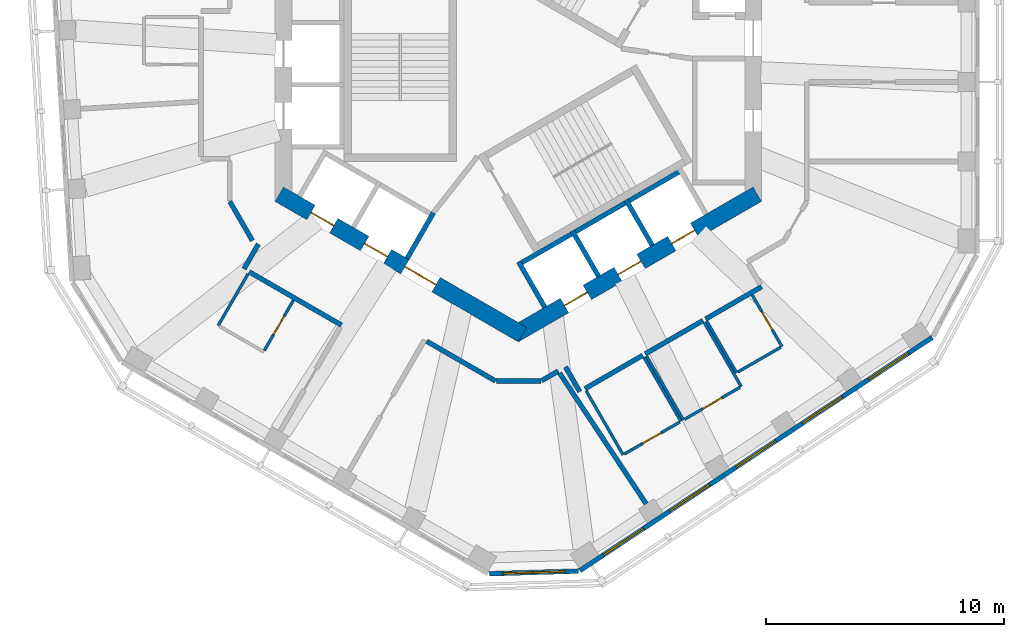
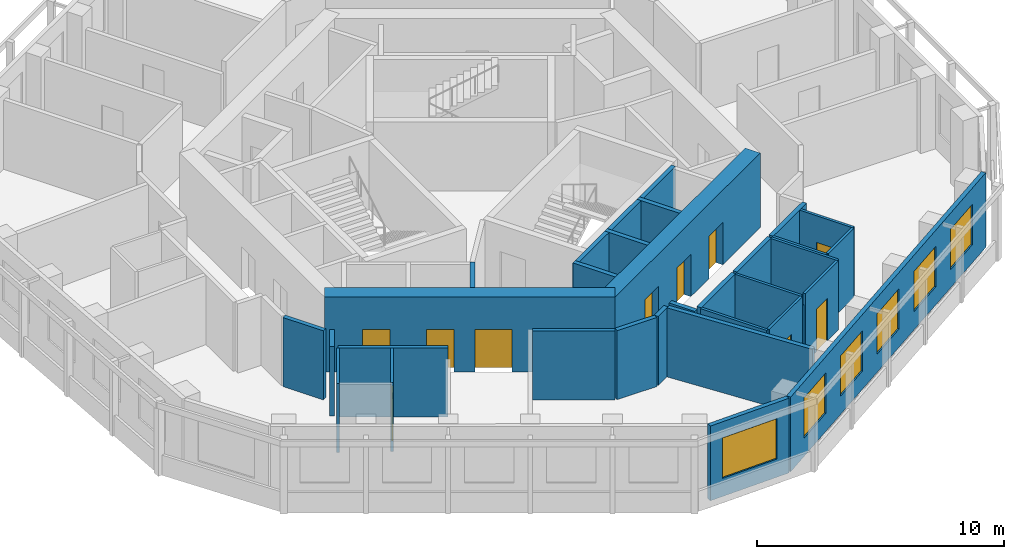
# One storey, part 4 of 11: 31 walls, 10 doors, 6 windows, 16 openings.
"""IFC4 building model written with IfcOpenShell, lengths in metres."""

from ifc_helpers import new_model, si_unit, direction, frame, frame_2d, origin, place, context, subcontext, project, spatial, rectangle, extrude, material, layer, layer_set, type_object, element, fill, save


model = new_model("IFC4")

# Units and contexts
model_context = context("Model", 3, precision=1e-05, world=origin(), true_north=direction((0.0, 1.0)))
body_context = subcontext(model_context, "Body", "Model", "MODEL_VIEW")
ifc_project = project(units=[si_unit("LENGTHUNIT", "METRE"), si_unit("AREAUNIT", "SQUARE_METRE"), si_unit("VOLUMEUNIT", "CUBIC_METRE"), si_unit("PLANEANGLEUNIT", "RADIAN"), si_unit("MASSUNIT", "GRAM", prefix="KILO")], contexts=[model_context])

# Site, building, storey
site_placement = place(None, origin())
site = spatial("IfcSite", under=ifc_project, at=site_placement, CompositionType="ELEMENT")
building_placement = place(site_placement, origin())
building = spatial("IfcBuilding", under=site, at=building_placement, Name="Vanh Sen Convention Tower", CompositionType="ELEMENT")
storey_placement = place(building_placement, frame((0.0, 0.0, 285.699951171875)))
storey = spatial("IfcBuildingStorey", under=building, at=storey_placement, Name="L70", CompositionType="ELEMENT", Elevation=285.699951171875)

# Wall
ifc_material_1 = material(Name="Moisture-resistant gypsum board on steel studs", Category="steel")
ifc_layer_1 = layer(ifc_material_1, 0.1201171875)
ifc_layer_set_1 = layer_set([ifc_layer_1], Name="Moisture-resistant gypsum board on steel studs")
wall_type_1 = type_object("IfcWallType", Name="Bathroom partition 120", PredefinedType="PARTITIONING", material=ifc_layer_set_1)
wall_1_placement = place(storey_placement, frame((-12.584716796875, -11.09521484375, 0.0), z_axis=(0.0, 0.0, 1.0), x_axis=(0.500004234368, 0.866022959057, 0.0)))
element("IfcWall", 1, at=wall_1_placement, inside=storey, type_object=wall_type_1, Name="Bathroom partition 120", PredefinedType="PARTITIONING", context=body_context, shape_type="SweptSolid", body=[
    extrude(rectangle(XDim=2.5, YDim=0.1201171875, at=frame_2d((1.25, 0.0))), origin(), (0.0, 0.0, 1.0), 3.420166015625),
])

# Wall, opening, door
wall_2_placement = place(storey_placement, frame((-9.42919921875, -10.030029296875, 0.0), z_axis=(0.0, 0.0, 1.0), x_axis=(-0.500034220881, -0.866005645448, 0.0)))
wall_2 = element("IfcWall", 2, at=wall_2_placement, inside=storey, type_object=wall_type_1, Name="Bathroom partition 120", PredefinedType="PARTITIONING", context=body_context, shape_type="SweptSolid", body=[
    extrude(rectangle(XDim=2.440185546875, YDim=0.1201171875, at=frame_2d((1.22021484375, 0.0))), origin(), (0.0, 0.0, 1.0), 3.420166015625),
])
opening_1_placement = place(wall_2_placement, frame((0.77001953125, 0.0, 0.0)))
opening_1 = element("IfcOpeningElement", 3, at=opening_1_placement, cuts=wall_2, Name="Opening D70114", PredefinedType="OPENING", context=body_context, shape_type="SweptSolid", body=[
    extrude(rectangle(XDim=0.89990234375, YDim=2.10009765625, at=frame_2d((0.449951171875, 1.050048828125))), frame((0.0, 0.070068359375, 0.0), z_axis=(0.0, -1.0, 0.0), x_axis=(1.0, 0.0, 0.0)), (0.0, 0.0, 1.0), 0.14013671875),
])
ifc_material_2 = material(Name="Laminate door in steel frame", Category="steel")
door_type_1 = type_object("IfcDoorType", Name="Room internal door 900", OperationType="SINGLE_SWING_LEFT", PredefinedType="DOOR", material=ifc_material_2)
door_1_placement = place(opening_1_placement, origin())
door_1 = element("IfcDoor", 4, at=door_1_placement, inside=storey, type_object=door_type_1, Name="Internal room door D70114", OperationType="SINGLE_SWING_LEFT", OverallHeight=2.10009765625, OverallWidth=0.89990234375, PredefinedType="DOOR", context=body_context, shape_type="SweptSolid", body=[
    extrude(rectangle(XDim=0.89990234375, YDim=2.10009765625, at=frame_2d((0.449951171875, 1.050048828125))), frame((0.0, 0.02490234375, 0.0), z_axis=(0.0, -1.0, 0.0), x_axis=(1.0, 0.0, 0.0)), (0.0, 0.0, 1.0), 0.050048828125),
])
fill(opening_1, door_1)

# Walls
wall_3_placement = place(storey_placement, frame((4.395751953125, -16.515869140625, 0.0), z_axis=(0.0, 0.0, 1.0), x_axis=(-0.49999285859, 0.86602952684, 0.0)))
element("IfcWall", 5, at=wall_3_placement, inside=storey, type_object=wall_type_1, Name="Bathroom partition 120", PredefinedType="PARTITIONING", context=body_context, shape_type="SweptSolid", body=[
    extrude(rectangle(XDim=3.10009765625, YDim=0.1201171875, at=frame_2d((1.550048828125, 0.0))), origin(), (0.0, 0.0, 1.0), 3.420166015625),
])
wall_4_placement = place(storey_placement, frame((5.270751953125, -12.43115234375, 0.0), z_axis=(0.0, 0.0, 1.0), x_axis=(0.500026960575, -0.86600983753, 0.0)))
element("IfcWall", 6, at=wall_4_placement, inside=storey, type_object=wall_type_1, Name="Bathroom partition 120", PredefinedType="PARTITIONING", context=body_context, shape_type="SweptSolid", body=[
    extrude(rectangle(XDim=3.099853515625, YDim=0.1201171875, at=frame_2d((1.5498046875, 0.0))), origin(), (0.0, 0.0, 1.0), 3.420166015625),
])

# Wall, opening, door
wall_5_placement = place(storey_placement, frame((6.768798828125, -15.145751953125, 0.0), z_axis=(0.0, 0.0, 1.0), x_axis=(-0.866020236886, -0.500008949224, 0.0)))
wall_5 = element("IfcWall", 7, at=wall_5_placement, inside=storey, type_object=wall_type_1, Name="Bathroom partition 120", PredefinedType="PARTITIONING", context=body_context, shape_type="SweptSolid", body=[
    extrude(rectangle(XDim=2.68017578125, YDim=0.1201171875, at=frame_2d((1.340087890625, 0.0))), origin(), (0.0, 0.0, 1.0), 3.420166015625),
])
opening_2_placement = place(wall_5_placement, frame((0.889892578125, 0.0, 0.0)))
opening_2 = element("IfcOpeningElement", 8, at=opening_2_placement, cuts=wall_5, Name="Opening D70117", PredefinedType="OPENING", context=body_context, shape_type="SweptSolid", body=[
    extrude(rectangle(XDim=0.89990234375, YDim=2.10009765625, at=frame_2d((0.449951171875, 1.050048828125))), frame((0.0, 0.070068359375, 0.0), z_axis=(0.0, -1.0, 0.0), x_axis=(1.0, 0.0, 0.0)), (0.0, 0.0, 1.0), 0.14013671875),
])
door_2_placement = place(opening_2_placement, origin())
door_2 = element("IfcDoor", 9, at=door_2_placement, inside=storey, type_object=door_type_1, Name="Internal room door D70117", OperationType="SINGLE_SWING_LEFT", OverallHeight=2.10009765625, OverallWidth=0.89990234375, PredefinedType="DOOR", context=body_context, shape_type="SweptSolid", body=[
    extrude(rectangle(XDim=0.89990234375, YDim=2.10009765625, at=frame_2d((0.449951171875, 1.050048828125))), frame((0.0, 0.02490234375, 0.0), z_axis=(0.0, -1.0, 0.0), x_axis=(1.0, 0.0, 0.0)), (0.0, 0.0, 1.0), 0.050048828125),
])
fill(opening_2, door_2)

# Walls
wall_6_placement = place(storey_placement, frame((6.924560546875, -15.055908203125, 0.0), z_axis=(0.0, 0.0, 1.0), x_axis=(-0.49999285859, 0.86602952684, 0.0)))
element("IfcWall", 10, at=wall_6_placement, inside=storey, type_object=wall_type_1, Name="Bathroom partition 120", PredefinedType="PARTITIONING", context=body_context, shape_type="SweptSolid", body=[
    extrude(rectangle(XDim=3.10009765625, YDim=0.1201171875, at=frame_2d((1.550048828125, 0.0))), origin(), (0.0, 0.0, 1.0), 2.8701171875),
])
wall_7_placement = place(storey_placement, frame((7.799560546875, -10.97119140625, 0.0), z_axis=(0.0, 0.0, 1.0), x_axis=(0.500026960575, -0.86600983753, 0.0)))
element("IfcWall", 11, at=wall_7_placement, inside=storey, type_object=wall_type_1, Name="Bathroom partition 120", PredefinedType="PARTITIONING", context=body_context, shape_type="SweptSolid", body=[
    extrude(rectangle(XDim=3.099853515625, YDim=0.1201171875, at=frame_2d((1.5498046875, 0.0))), origin(), (0.0, 0.0, 1.0), 3.420166015625),
])
wall_8_placement = place(storey_placement, frame((9.1533203125, -13.076171875, 0.0), z_axis=(0.0, 0.0, 1.0), x_axis=(-0.500004234368, 0.866022959057, 0.0)))
element("IfcWall", 12, at=wall_8_placement, inside=storey, type_object=wall_type_1, Name="Bathroom partition 120", PredefinedType="PARTITIONING", context=body_context, shape_type="SweptSolid", body=[
    extrude(rectangle(XDim=2.5, YDim=0.1201171875, at=frame_2d((1.25, 0.0))), origin(), (0.0, 0.0, 1.0), 3.420166015625),
])

# Wall, opening, door
wall_9_placement = place(storey_placement, frame((9.297607421875, -13.685791015625, 0.0), z_axis=(0.0, 0.0, 1.0), x_axis=(-0.866020236886, -0.500008949224, 0.0)))
wall_9 = element("IfcWall", 13, at=wall_9_placement, inside=storey, type_object=wall_type_1, Name="Bathroom partition 120", PredefinedType="PARTITIONING", context=body_context, shape_type="SweptSolid", body=[
    extrude(rectangle(XDim=2.68017578125, YDim=0.1201171875, at=frame_2d((1.340087890625, 0.0))), origin(), (0.0, 0.0, 1.0), 3.420166015625),
])
opening_3_placement = place(wall_9_placement, frame((0.889892578125, 0.0, 0.0)))
opening_3 = element("IfcOpeningElement", 14, at=opening_3_placement, cuts=wall_9, Name="Opening D70118", PredefinedType="OPENING", context=body_context, shape_type="SweptSolid", body=[
    extrude(rectangle(XDim=0.89990234375, YDim=2.10009765625, at=frame_2d((0.449951171875, 1.050048828125))), frame((0.0, 0.070068359375, 0.0), z_axis=(0.0, -1.0, 0.0), x_axis=(1.0, 0.0, 0.0)), (0.0, 0.0, 1.0), 0.14013671875),
])
door_3_placement = place(opening_3_placement, origin())
door_3 = element("IfcDoor", 15, at=door_3_placement, inside=storey, type_object=door_type_1, Name="Internal room door D70118", OperationType="SINGLE_SWING_LEFT", OverallHeight=2.10009765625, OverallWidth=0.89990234375, PredefinedType="DOOR", context=body_context, shape_type="SweptSolid", body=[
    extrude(rectangle(XDim=0.89990234375, YDim=2.10009765625, at=frame_2d((0.449951171875, 1.050048828125))), frame((0.0, 0.02490234375, 0.0), z_axis=(0.0, -1.0, 0.0), x_axis=(1.0, 0.0, 0.0)), (0.0, 0.0, 1.0), 0.050048828125),
])
fill(opening_3, door_3)

wall_10_placement = place(storey_placement, frame((9.80859375, -9.81103515625, 0.0), z_axis=(0.0, 0.0, 1.0), x_axis=(0.499961950354, -0.866047370643, 0.0)))
wall_10 = element("IfcWall", 16, at=wall_10_placement, inside=storey, type_object=wall_type_1, Name="Bathroom partition 120", PredefinedType="PARTITIONING", context=body_context, shape_type="SweptSolid", body=[
    extrude(rectangle(XDim=2.500244140625, YDim=0.1201171875, at=frame_2d((1.25, 0.0))), origin(), (0.0, 0.0, 1.0), 3.420166015625),
])
opening_4_placement = place(wall_10_placement, frame((0.800048828125, 0.0, 0.0)))
opening_4 = element("IfcOpeningElement", 17, at=opening_4_placement, cuts=wall_10, Name="Opening D70119", PredefinedType="OPENING", context=body_context, shape_type="SweptSolid", body=[
    extrude(rectangle(XDim=0.89990234375, YDim=2.10009765625, at=frame_2d((0.449951171875, 1.050048828125))), frame((0.0, 0.070068359375, 0.0), z_axis=(0.0, -1.0, 0.0), x_axis=(1.0, 0.0, 0.0)), (0.0, 0.0, 1.0), 0.14013671875),
])
door_4_placement = place(opening_4_placement, origin())
door_4 = element("IfcDoor", 18, at=door_4_placement, inside=storey, type_object=door_type_1, Name="Internal room door D70119", OperationType="SINGLE_SWING_LEFT", OverallHeight=2.10009765625, OverallWidth=0.89990234375, PredefinedType="DOOR", context=body_context, shape_type="SweptSolid", body=[
    extrude(rectangle(XDim=0.89990234375, YDim=2.10009765625, at=frame_2d((0.449951171875, 1.050048828125))), frame((0.0, 0.02490234375, 0.0), z_axis=(0.0, -1.0, 0.0), x_axis=(1.0, 0.0, 0.0)), (0.0, 0.0, 1.0), 0.050048828125),
])
fill(opening_4, door_4)

# Wall
wall_11_placement = place(storey_placement, frame((11.006591796875, -12.006103515625, 0.0), z_axis=(0.0, 0.0, 1.0), x_axis=(-0.866009661879, -0.500027264788, 0.0)))
element("IfcWall", 19, at=wall_11_placement, inside=storey, type_object=wall_type_1, Name="Bathroom partition 120", PredefinedType="PARTITIONING", context=body_context, shape_type="SweptSolid", body=[
    extrude(rectangle(XDim=2.080078125, YDim=0.1201171875, at=frame_2d((1.0400390625, 0.0))), origin(), (0.0, 0.0, 1.0), 3.420166015625),
])

# Wall, openings, doors
ifc_material_3 = material(Name="Concrete C60/75", Category="concrete")
ifc_layer_2 = layer(ifc_material_3, 0.699951171875)
ifc_layer_set_2 = layer_set([ifc_layer_2], Name="Concrete C60/75")
wall_type_2 = type_object("IfcWallType", Name="Core outer wall 700 C60/75", PredefinedType="SHEAR", material=ifc_layer_set_2)
wall_12_placement = place(storey_placement, frame((-10.02490234375, -5.5859375, 0.0), z_axis=(0.0, 0.0, 1.0), x_axis=(0.866026453023, -0.499998182661, 0.0)))
wall_12 = element("IfcWall", 20, at=wall_12_placement, inside=storey, type_object=wall_type_2, Name="Core wall face SW L70", PredefinedType="SHEAR", context=body_context, shape_type="SweptSolid", body=[
    extrude(rectangle(XDim=11.77783203125, YDim=0.699951171875, at=frame_2d((5.888916015625, 0.0))), origin(), (0.0, 0.0, 1.0), 3.699951171875),
])
opening_5_placement = place(wall_12_placement, frame((6.089111328125, 0.0, 0.0)))
opening_5 = element("IfcOpeningElement", 21, at=opening_5_placement, cuts=wall_12, Name="Opening D70003", PredefinedType="OPENING", context=body_context, shape_type="SweptSolid", body=[
    extrude(rectangle(XDim=1.5, YDim=2.10009765625, at=frame_2d((0.75, 1.050048828125))), frame((0.0, 0.35986328125, 0.0), z_axis=(0.0, -1.0, 0.0), x_axis=(1.0, 0.0, 0.0)), (0.0, 0.0, 1.0), 0.719970703125),
])
opening_6_placement = place(wall_12_placement, frame((1.5390625, 0.0, 0.0)))
opening_6 = element("IfcOpeningElement", 22, at=opening_6_placement, cuts=wall_12, Name="Opening LD-HR3", PredefinedType="OPENING", context=body_context, shape_type="SweptSolid", body=[
    extrude(rectangle(XDim=1.10009765625, YDim=2.10009765625, at=frame_2d((0.550048828125, 1.050048828125))), frame((0.0, 0.35986328125, 0.0), z_axis=(0.0, -1.0, 0.0), x_axis=(1.0, 0.0, 0.0)), (0.0, 0.0, 1.0), 0.719970703125),
])
opening_7_placement = place(wall_12_placement, frame((4.138916015625, 0.0, 0.0)))
opening_7 = element("IfcOpeningElement", 23, at=opening_7_placement, cuts=wall_12, Name="Opening LD-HR4", PredefinedType="OPENING", context=body_context, shape_type="SweptSolid", body=[
    extrude(rectangle(XDim=1.10009765625, YDim=2.10009765625, at=frame_2d((0.550048828125, 1.050048828125))), frame((0.0, 0.35986328125, 0.0), z_axis=(0.0, -1.0, 0.0), x_axis=(1.0, 0.0, 0.0)), (0.0, 0.0, 1.0), 0.719970703125),
])
ifc_material_4 = material(Name="Stainless steel", Category="steel")
door_type_2 = type_object("IfcDoorType", Name="Lift landing door 1100", OperationType="DOUBLE_DOOR_SLIDING", PredefinedType="DOOR", material=ifc_material_4)
door_5_placement = place(opening_6_placement, origin())
door_5 = element("IfcDoor", 24, at=door_5_placement, inside=storey, type_object=door_type_2, Name="Lift HR3 landing door LD-HR3", OperationType="DOUBLE_DOOR_SLIDING", OverallHeight=2.10009765625, OverallWidth=1.10009765625, PredefinedType="DOOR", context=body_context, shape_type="SweptSolid", body=[
    extrude(rectangle(XDim=1.10009765625, YDim=2.10009765625, at=frame_2d((0.550048828125, 1.050048828125))), frame((0.0, 0.02490234375, 0.0), z_axis=(0.0, -1.0, 0.0), x_axis=(1.0, 0.0, 0.0)), (0.0, 0.0, 1.0), 0.050048828125),
])
fill(opening_6, door_5)
door_6_placement = place(opening_7_placement, origin())
door_6 = element("IfcDoor", 25, at=door_6_placement, inside=storey, type_object=door_type_2, Name="Lift HR4 landing door LD-HR4", OperationType="DOUBLE_DOOR_SLIDING", OverallHeight=2.10009765625, OverallWidth=1.10009765625, PredefinedType="DOOR", context=body_context, shape_type="SweptSolid", body=[
    extrude(rectangle(XDim=1.10009765625, YDim=2.10009765625, at=frame_2d((0.550048828125, 1.050048828125))), frame((0.0, 0.02490234375, 0.0), z_axis=(0.0, -1.0, 0.0), x_axis=(1.0, 0.0, 0.0)), (0.0, 0.0, 1.0), 0.050048828125),
])
fill(opening_7, door_6)
ifc_material_5 = material(Name="Steel S355", Category="steel")
door_type_3 = type_object("IfcDoorType", Name="Stair lobby door 1500", OperationType="DOUBLE_DOOR_SINGLE_SWING", PredefinedType="DOOR", material=ifc_material_5)
door_7_placement = place(opening_5_placement, origin())
door_7 = element("IfcDoor", 26, at=door_7_placement, inside=storey, type_object=door_type_3, Name="Stair lobby door D70003", OperationType="DOUBLE_DOOR_SINGLE_SWING", OverallHeight=2.10009765625, OverallWidth=1.5, PredefinedType="DOOR", context=body_context, shape_type="SweptSolid", body=[
    extrude(rectangle(XDim=1.5, YDim=2.10009765625, at=frame_2d((0.75, 1.050048828125))), frame((0.0, 0.02490234375, 0.0), z_axis=(0.0, -1.0, 0.0), x_axis=(1.0, 0.0, 0.0)), (0.0, 0.0, 1.0), 0.050048828125),
])
fill(opening_5, door_7)

wall_13_placement = place(storey_placement, frame((-0.175048828125, -11.474853515625, 0.0), z_axis=(0.0, 0.0, 1.0), x_axis=(0.866026453023, 0.499998182661, 0.0)))
wall_13 = element("IfcWall", 27, at=wall_13_placement, inside=storey, type_object=wall_type_2, Name="Core wall face SE L70", PredefinedType="SHEAR", context=body_context, shape_type="SweptSolid", body=[
    extrude(rectangle(XDim=11.77783203125, YDim=0.699951171875, at=frame_2d((5.888916015625, 0.0))), origin(), (0.0, 0.0, 1.0), 3.699951171875),
])
opening_8_placement = place(wall_13_placement, frame((2.43896484375, 0.0, 0.0)))
opening_8 = element("IfcOpeningElement", 28, at=opening_8_placement, cuts=wall_13, Name="Opening LD-HR5", PredefinedType="OPENING", context=body_context, shape_type="SweptSolid", body=[
    extrude(rectangle(XDim=1.10009765625, YDim=2.10009765625, at=frame_2d((0.550048828125, 1.050048828125))), frame((0.0, 0.35986328125, 0.0), z_axis=(0.0, -1.0, 0.0), x_axis=(1.0, 0.0, 0.0)), (0.0, 0.0, 1.0), 0.719970703125),
])
opening_9_placement = place(wall_13_placement, frame((5.0390625, 0.0, 0.0)))
opening_9 = element("IfcOpeningElement", 29, at=opening_9_placement, cuts=wall_13, Name="Opening LD-HR6", PredefinedType="OPENING", context=body_context, shape_type="SweptSolid", body=[
    extrude(rectangle(XDim=1.10009765625, YDim=2.10009765625, at=frame_2d((0.550048828125, 1.050048828125))), frame((0.0, 0.35986328125, 0.0), z_axis=(0.0, -1.0, 0.0), x_axis=(1.0, 0.0, 0.0)), (0.0, 0.0, 1.0), 0.719970703125),
])
opening_10_placement = place(wall_13_placement, frame((7.638916015625, 0.0, 0.0)))
opening_10 = element("IfcOpeningElement", 30, at=opening_10_placement, cuts=wall_13, Name="Opening LD-SV1", PredefinedType="OPENING", context=body_context, shape_type="SweptSolid", body=[
    extrude(rectangle(XDim=1.10009765625, YDim=2.10009765625, at=frame_2d((0.550048828125, 1.050048828125))), frame((0.0, 0.35986328125, 0.0), z_axis=(0.0, -1.0, 0.0), x_axis=(1.0, 0.0, 0.0)), (0.0, 0.0, 1.0), 0.719970703125),
])
door_8_placement = place(opening_8_placement, origin())
door_8 = element("IfcDoor", 31, at=door_8_placement, inside=storey, type_object=door_type_2, Name="Lift HR5 landing door LD-HR5", OperationType="DOUBLE_DOOR_SLIDING", OverallHeight=2.10009765625, OverallWidth=1.10009765625, PredefinedType="DOOR", context=body_context, shape_type="SweptSolid", body=[
    extrude(rectangle(XDim=1.10009765625, YDim=2.10009765625, at=frame_2d((0.550048828125, 1.050048828125))), frame((0.0, 0.02490234375, 0.0), z_axis=(0.0, -1.0, 0.0), x_axis=(1.0, 0.0, 0.0)), (0.0, 0.0, 1.0), 0.050048828125),
])
fill(opening_8, door_8)
door_9_placement = place(opening_9_placement, origin())
door_9 = element("IfcDoor", 32, at=door_9_placement, inside=storey, type_object=door_type_2, Name="Lift HR6 landing door LD-HR6", OperationType="DOUBLE_DOOR_SLIDING", OverallHeight=2.10009765625, OverallWidth=1.10009765625, PredefinedType="DOOR", context=body_context, shape_type="SweptSolid", body=[
    extrude(rectangle(XDim=1.10009765625, YDim=2.10009765625, at=frame_2d((0.550048828125, 1.050048828125))), frame((0.0, 0.02490234375, 0.0), z_axis=(0.0, -1.0, 0.0), x_axis=(1.0, 0.0, 0.0)), (0.0, 0.0, 1.0), 0.050048828125),
])
fill(opening_9, door_9)
door_10_placement = place(opening_10_placement, origin())
door_10 = element("IfcDoor", 33, at=door_10_placement, inside=storey, type_object=door_type_2, Name="Lift SV1 landing door LD-SV1", OperationType="DOUBLE_DOOR_SLIDING", OverallHeight=2.10009765625, OverallWidth=1.10009765625, PredefinedType="DOOR", context=body_context, shape_type="SweptSolid", body=[
    extrude(rectangle(XDim=1.10009765625, YDim=2.10009765625, at=frame_2d((0.550048828125, 1.050048828125))), frame((0.0, 0.02490234375, 0.0), z_axis=(0.0, -1.0, 0.0), x_axis=(1.0, 0.0, 0.0)), (0.0, 0.0, 1.0), 0.050048828125),
])
fill(opening_10, door_10)

# Walls
ifc_material_6 = material(Name="Gypsum board on steel studs with mineral wool", Category="steel")
ifc_layer_3 = layer(ifc_material_6, 0.199951171875)
ifc_layer_set_3 = layer_set([ifc_layer_3], Name="Gypsum board on steel studs with mineral wool")
wall_type_3 = type_object("IfcWallType", Name="Corridor partition wall 200", PredefinedType="PARTITIONING", material=ifc_layer_set_3)
wall_14_placement = place(storey_placement, frame((-12.10009765625, -5.888916015625, 0.0), z_axis=(0.0, 0.0, 1.0), x_axis=(0.500063520245, -0.865988727248, 0.0)))
element("IfcWall", 34, at=wall_14_placement, inside=storey, type_object=wall_type_3, Name="Corridor partition wall 200", PredefinedType="PARTITIONING", context=body_context, shape_type="SweptSolid", body=[
    extrude(rectangle(XDim=1.900146484375, YDim=0.199951171875, at=frame_2d((0.9501953125, 0.0))), origin(), (0.0, 0.0, 1.0), 3.420166015625),
])
wall_15_placement = place(storey_placement, frame((-11.28466796875, -8.843505859375, 0.0), z_axis=(0.0, 0.0, 1.0), x_axis=(0.866021785011, -0.500006267848, 0.0)))
element("IfcWall", 35, at=wall_15_placement, inside=storey, type_object=wall_type_3, Name="Corridor partition wall 200", PredefinedType="PARTITIONING", context=body_context, shape_type="SweptSolid", body=[
    extrude(rectangle(XDim=4.4677734375, YDim=0.199951171875, at=frame_2d((2.23388671875, 0.0))), origin(), (0.0, 0.0, 1.0), 3.420166015625),
])
wall_16_placement = place(storey_placement, frame((-10.900634765625, -7.678466796875, 0.0), z_axis=(0.0, 0.0, 1.0), x_axis=(-0.500074377092, -0.865982457891, 0.0)))
element("IfcWall", 36, at=wall_16_placement, inside=storey, type_object=wall_type_3, Name="Corridor partition wall 200", PredefinedType="PARTITIONING", context=body_context, shape_type="SweptSolid", body=[
    extrude(rectangle(XDim=1.200927734375, YDim=0.199951171875, at=frame_2d((0.6005859375, 0.0))), origin(), (0.0, 0.0, 1.0), 3.420166015625),
])
wall_17_placement = place(storey_placement, frame((-3.84326171875, -11.7529296875, 0.0), z_axis=(0.0, 0.0, 1.0), x_axis=(0.866031037473, -0.499990242038, 0.0)))
element("IfcWall", 37, at=wall_17_placement, inside=storey, type_object=wall_type_3, Name="Corridor partition wall 200", PredefinedType="PARTITIONING", context=body_context, shape_type="SweptSolid", body=[
    extrude(rectangle(XDim=3.3408203125, YDim=0.199951171875, at=frame_2d((1.67041015625, 0.0))), origin(), (0.0, 0.0, 1.0), 3.420166015625),
])
wall_18_placement = place(storey_placement, frame((-0.909912109375, -13.42333984375, 0.0), z_axis=(0.0, 0.0, 1.0), x_axis=(1.0, 0.0, 0.0)))
element("IfcWall", 38, at=wall_18_placement, inside=storey, type_object=wall_type_3, Name="Corridor partition wall 200", PredefinedType="PARTITIONING", context=body_context, shape_type="SweptSolid", body=[
    extrude(rectangle(XDim=1.85986328125, YDim=0.199951171875, at=frame_2d((0.929931640625, 0.0))), origin(), (0.0, 0.0, 1.0), 3.420166015625),
])
wall_19_placement = place(storey_placement, frame((0.984619140625, -13.4033203125, 0.0), z_axis=(0.0, 0.0, 1.0), x_axis=(0.866032814021, 0.499987164874, 0.0)))
element("IfcWall", 39, at=wall_19_placement, inside=storey, type_object=wall_type_3, Name="Corridor partition wall 200", PredefinedType="PARTITIONING", context=body_context, shape_type="SweptSolid", body=[
    extrude(rectangle(XDim=0.79833984375, YDim=0.199951171875, at=frame_2d((0.399169921875, 0.0))), origin(), (0.0, 0.0, 1.0), 3.420166015625),
])
wall_20_placement = place(storey_placement, frame((1.978759765625, -12.829345703125, 0.0), z_axis=(0.0, 0.0, 1.0), x_axis=(0.500074377092, -0.865982457891, 0.0)))
element("IfcWall", 40, at=wall_20_placement, inside=storey, type_object=wall_type_3, Name="Corridor partition wall 200", PredefinedType="PARTITIONING", context=body_context, shape_type="SweptSolid", body=[
    extrude(rectangle(XDim=1.200927734375, YDim=0.199951171875, at=frame_2d((0.6005859375, 0.0))), origin(), (0.0, 0.0, 1.0), 3.420166015625),
])
for number, where, z_axis, x_axis, name in (
    (41, (2.7958984375, -13.744384765625, 0.0), (0.0, 0.0, 1.0), (0.866034573852, 0.49998411664, 0.0), "Corridor partition wall 200"),
    (42, (5.32470703125, -12.284423828125, 0.0), (0.0, 0.0, 1.0), (0.866034573852, 0.49998411664, 0.0), "Corridor partition wall 200"),
):
    element("IfcWall", number, at=place(storey_placement, frame(where, z_axis=z_axis, x_axis=x_axis)), inside=storey, type_object=wall_type_3, Name=name, PredefinedType="PARTITIONING", context=body_context, shape_type="SweptSolid", body=[
        extrude(rectangle(XDim=2.7998046875, YDim=0.199951171875, at=frame_2d((1.39990234375, 0.0))), origin(), (0.0, 0.0, 1.0), 3.420166015625),
    ])
wall_21_placement = place(storey_placement, frame((7.853515625, -10.824462890625, 0.0), z_axis=(0.0, 0.0, 1.0), x_axis=(0.866029675718, 0.499992600721, 0.0)))
element("IfcWall", 43, at=wall_21_placement, inside=storey, type_object=wall_type_3, Name="Corridor partition wall 200", PredefinedType="PARTITIONING", context=body_context, shape_type="SweptSolid", body=[
    extrude(rectangle(XDim=2.7119140625, YDim=0.199951171875, at=frame_2d((1.35595703125, 0.0))), origin(), (0.0, 0.0, 1.0), 3.420166015625),
])

# Wall, opening, window
ifc_material_7 = material(Name="Insulated lightweight infill wall")
ifc_layer_4 = layer(ifc_material_7, 0.199951171875)
ifc_layer_set_4 = layer_set([ifc_layer_4], Name="Insulated lightweight infill wall")
wall_type_4 = type_object("IfcWallType", Name="External wall 200", PredefinedType="STANDARD", material=ifc_layer_set_4)
wall_22_placement = place(storey_placement, frame((-1.21728515625, -21.508056640625, 0.0), z_axis=(0.0, 0.0, 1.0), x_axis=(0.99953295295, 0.030559384285, 0.0)))
wall_22 = element("IfcWall", 44, at=wall_22_placement, inside=storey, type_object=wall_type_4, Name="External wall CH5 L70", PredefinedType="STANDARD", context=body_context, shape_type="SweptSolid", body=[
    extrude(rectangle(XDim=3.746826171875, YDim=0.199951171875, at=frame_2d((1.87353515625, 0.0))), origin(), (0.0, 0.0, 1.0), 3.699951171875),
])
opening_11_placement = place(wall_22_placement, frame((0.573486328125, 0.0, 0.89990234375)))
opening_11 = element("IfcOpeningElement", 45, at=opening_11_placement, cuts=wall_22, Name="Opening WO6-CH51", PredefinedType="OPENING", context=body_context, shape_type="SweptSolid", body=[
    extrude(rectangle(XDim=2.60009765625, YDim=2.0, at=frame_2d((1.300048828125, 1.0))), frame((0.0, 0.10986328125, 0.0), z_axis=(0.0, -1.0, 0.0), x_axis=(1.0, 0.0, 0.0)), (0.0, 0.0, 1.0), 0.219970703125),
])
ifc_material_8 = material(Name="Aluminium frame with clear low-emissivity glass", Category="aluminium")
window_type_1 = type_object("IfcWindowType", Name="Office window 2600 x 2000", PartitioningType="SINGLE_PANEL", PredefinedType="WINDOW", material=ifc_material_8)
window_1_placement = place(opening_11_placement, origin())
window_1 = element("IfcWindow", 46, at=window_1_placement, inside=storey, type_object=window_type_1, Name="Window WO6-CH51", OverallHeight=2.0, OverallWidth=2.60009765625, PartitioningType="SINGLE_PANEL", PredefinedType="WINDOW", context=body_context, shape_type="SweptSolid", body=[
    extrude(rectangle(XDim=2.60009765625, YDim=2.0, at=frame_2d((1.300048828125, 1.0))), frame((0.0, 0.030029296875, 0.0), z_axis=(0.0, -1.0, 0.0), x_axis=(1.0, 0.0, 0.0)), (0.0, 0.0, 1.0), 0.06005859375),
])
fill(opening_11, window_1)

# Wall, openings, windows
wall_23_placement = place(storey_placement, frame((2.580078125, -21.376953125, 0.0), z_axis=(0.0, 0.0, 1.0), x_axis=(0.833888592176, 0.551932800112, 0.0)))
wall_23 = element("IfcWall", 47, at=wall_23_placement, inside=storey, type_object=wall_type_4, Name="External wall SE L70", PredefinedType="STANDARD", context=body_context, shape_type="SweptSolid", body=[
    extrude(rectangle(XDim=17.7314453125, YDim=0.199951171875, at=frame_2d((8.86572265625, 0.0))), origin(), (0.0, 0.0, 1.0), 3.699951171875),
])
opening_12_placement = place(wall_23_placement, frame((1.20166015625, 0.0, 0.89990234375)))
opening_12 = element("IfcOpeningElement", 48, at=opening_12_placement, cuts=wall_23, Name="Opening WO5-SE1", PredefinedType="OPENING", context=body_context, shape_type="SweptSolid", body=[
    extrude(rectangle(XDim=2.0, YDim=2.0, at=frame_2d((1.0, 1.0))), frame((0.0, 0.10986328125, 0.0), z_axis=(0.0, -1.0, 0.0), x_axis=(1.0, 0.0, 0.0)), (0.0, 0.0, 1.0), 0.219970703125),
])
opening_13_placement = place(wall_23_placement, frame((4.533203125, 0.0, 0.89990234375)))
opening_13 = element("IfcOpeningElement", 49, at=opening_13_placement, cuts=wall_23, Name="Opening WO5-SE2", PredefinedType="OPENING", context=body_context, shape_type="SweptSolid", body=[
    extrude(rectangle(XDim=2.0, YDim=2.0, at=frame_2d((1.0, 1.0))), frame((0.0, 0.10986328125, 0.0), z_axis=(0.0, -1.0, 0.0), x_axis=(1.0, 0.0, 0.0)), (0.0, 0.0, 1.0), 0.219970703125),
])
opening_14_placement = place(wall_23_placement, frame((7.864990234375, 0.0, 0.89990234375)))
opening_14 = element("IfcOpeningElement", 50, at=opening_14_placement, cuts=wall_23, Name="Opening WO5-SE3", PredefinedType="OPENING", context=body_context, shape_type="SweptSolid", body=[
    extrude(rectangle(XDim=2.0, YDim=2.0, at=frame_2d((1.0, 1.0))), frame((0.0, 0.10986328125, 0.0), z_axis=(0.0, -1.0, 0.0), x_axis=(1.0, 0.0, 0.0)), (0.0, 0.0, 1.0), 0.219970703125),
])
opening_15_placement = place(wall_23_placement, frame((11.196533203125, 0.0, 0.89990234375)))
opening_15 = element("IfcOpeningElement", 51, at=opening_15_placement, cuts=wall_23, Name="Opening WO5-SE4", PredefinedType="OPENING", context=body_context, shape_type="SweptSolid", body=[
    extrude(rectangle(XDim=2.0, YDim=2.0, at=frame_2d((1.0, 1.0))), frame((0.0, 0.10986328125, 0.0), z_axis=(0.0, -1.0, 0.0), x_axis=(1.0, 0.0, 0.0)), (0.0, 0.0, 1.0), 0.219970703125),
])
opening_16_placement = place(wall_23_placement, frame((14.528076171875, 0.0, 0.89990234375)))
opening_16 = element("IfcOpeningElement", 52, at=opening_16_placement, cuts=wall_23, Name="Opening WO5-SE5", PredefinedType="OPENING", context=body_context, shape_type="SweptSolid", body=[
    extrude(rectangle(XDim=2.0, YDim=2.0, at=frame_2d((1.0, 1.0))), frame((0.0, 0.10986328125, 0.0), z_axis=(0.0, -1.0, 0.0), x_axis=(1.0, 0.0, 0.0)), (0.0, 0.0, 1.0), 0.219970703125),
])
window_type_2 = type_object("IfcWindowType", Name="Office window 2000 x 2000", PartitioningType="SINGLE_PANEL", PredefinedType="WINDOW", material=ifc_material_8)
window_2_placement = place(opening_12_placement, origin())
window_2 = element("IfcWindow", 53, at=window_2_placement, inside=storey, type_object=window_type_2, Name="Window WO5-SE1", OverallHeight=2.0, OverallWidth=2.0, PartitioningType="SINGLE_PANEL", PredefinedType="WINDOW", context=body_context, shape_type="SweptSolid", body=[
    extrude(rectangle(XDim=2.0, YDim=2.0, at=frame_2d((1.0, 1.0))), frame((0.0, 0.030029296875, 0.0), z_axis=(0.0, -1.0, 0.0), x_axis=(1.0, 0.0, 0.0)), (0.0, 0.0, 1.0), 0.06005859375),
])
fill(opening_12, window_2)
window_3_placement = place(opening_13_placement, origin())
window_3 = element("IfcWindow", 54, at=window_3_placement, inside=storey, type_object=window_type_2, Name="Window WO5-SE2", OverallHeight=2.0, OverallWidth=2.0, PartitioningType="SINGLE_PANEL", PredefinedType="WINDOW", context=body_context, shape_type="SweptSolid", body=[
    extrude(rectangle(XDim=2.0, YDim=2.0, at=frame_2d((1.0, 1.0))), frame((0.0, 0.030029296875, 0.0), z_axis=(0.0, -1.0, 0.0), x_axis=(1.0, 0.0, 0.0)), (0.0, 0.0, 1.0), 0.06005859375),
])
fill(opening_13, window_3)
window_4_placement = place(opening_14_placement, origin())
window_4 = element("IfcWindow", 55, at=window_4_placement, inside=storey, type_object=window_type_2, Name="Window WO5-SE3", OverallHeight=2.0, OverallWidth=2.0, PartitioningType="SINGLE_PANEL", PredefinedType="WINDOW", context=body_context, shape_type="SweptSolid", body=[
    extrude(rectangle(XDim=2.0, YDim=2.0, at=frame_2d((1.0, 1.0))), frame((0.0, 0.030029296875, 0.0), z_axis=(0.0, -1.0, 0.0), x_axis=(1.0, 0.0, 0.0)), (0.0, 0.0, 1.0), 0.06005859375),
])
fill(opening_14, window_4)
window_5_placement = place(opening_15_placement, origin())
window_5 = element("IfcWindow", 56, at=window_5_placement, inside=storey, type_object=window_type_2, Name="Window WO5-SE4", OverallHeight=2.0, OverallWidth=2.0, PartitioningType="SINGLE_PANEL", PredefinedType="WINDOW", context=body_context, shape_type="SweptSolid", body=[
    extrude(rectangle(XDim=2.0, YDim=2.0, at=frame_2d((1.0, 1.0))), frame((0.0, 0.030029296875, 0.0), z_axis=(0.0, -1.0, 0.0), x_axis=(1.0, 0.0, 0.0)), (0.0, 0.0, 1.0), 0.06005859375),
])
fill(opening_15, window_5)
window_6_placement = place(opening_16_placement, origin())
window_6 = element("IfcWindow", 57, at=window_6_placement, inside=storey, type_object=window_type_2, Name="Window WO5-SE5", OverallHeight=2.0, OverallWidth=2.0, PartitioningType="SINGLE_PANEL", PredefinedType="WINDOW", context=body_context, shape_type="SweptSolid", body=[
    extrude(rectangle(XDim=2.0, YDim=2.0, at=frame_2d((1.0, 1.0))), frame((0.0, 0.030029296875, 0.0), z_axis=(0.0, -1.0, 0.0), x_axis=(1.0, 0.0, 0.0)), (0.0, 0.0, 1.0), 0.06005859375),
])
fill(opening_16, window_6)

# Walls
ifc_material_9 = material(Name="Concrete C40/50", Category="concrete")
ifc_layer_5 = layer(ifc_material_9, 0.199951171875)
ifc_layer_set_5 = layer_set([ifc_layer_5], Name="Concrete C40/50")
wall_type_5 = type_object("IfcWallType", Name="Lift shaft wall 200", PredefinedType="PARTITIONING", material=ifc_layer_set_5)
wall_24_placement = place(storey_placement, frame((-3.5634765625, -6.3720703125, 0.0), z_axis=(0.0, 0.0, 1.0), x_axis=(-0.499994660107, -0.866028486751, 0.0)))
element("IfcWall", 58, at=wall_24_placement, inside=storey, type_object=wall_type_5, Name="Lift shaft wall L70", PredefinedType="PARTITIONING", context=body_context, shape_type="SweptSolid", body=[
    extrude(rectangle(XDim=2.19970703125, YDim=0.199951171875, at=frame_2d((1.099853515625, 0.0))), origin(), (0.0, 0.0, 1.0), 3.420166015625),
])
wall_25_placement = place(storey_placement, frame((-0.02392578125, -8.55859375, 0.0), z_axis=(0.0, 0.0, 1.0), x_axis=(0.866026010844, 0.49999894854, 0.0)))
element("IfcWall", 59, at=wall_25_placement, inside=storey, type_object=wall_type_5, Name="Lift shaft wall L70", PredefinedType="PARTITIONING", context=body_context, shape_type="SweptSolid", body=[
    extrude(rectangle(XDim=8.0, YDim=0.199951171875, at=frame_2d((4.0, 0.0))), origin(), (0.0, 0.0, 1.0), 3.420166015625),
])
for number, where, z_axis, x_axis, name in (
    (60, (0.0126953125, -8.422119140625, 0.0), (0.0, 0.0, 1.0), (0.500077893725, -0.86598042715, 0.0), "Lift shaft wall L70"),
    (61, (2.264404296875, -7.1220703125, 0.0), (0.0, 0.0, 1.0), (0.500077893725, -0.86598042715, 0.0), "Lift shaft wall L70"),
    (62, (4.51611328125, -5.822021484375, 0.0), (0.0, 0.0, 1.0), (0.499946605688, -0.86605622881, 0.0), "Lift shaft wall L70"),
):
    element("IfcWall", number, at=place(storey_placement, frame(where, z_axis=z_axis, x_axis=x_axis)), inside=storey, type_object=wall_type_5, Name=name, PredefinedType="PARTITIONING", context=body_context, shape_type="SweptSolid", body=[
        extrude(rectangle(XDim=2.199951171875, YDim=0.199951171875, at=frame_2d((1.10009765625, 0.0))), origin(), (0.0, 0.0, 1.0), 3.420166015625),
    ])
ifc_layer_6 = layer(ifc_material_6, 0.199951171875)
ifc_layer_set_6 = layer_set([ifc_layer_6], Name="Gypsum board on steel studs with mineral wool")
wall_type_6 = type_object("IfcWallType", Name="Tenant suite wall 200", PredefinedType="PARTITIONING", material=ifc_layer_set_6)
wall_26_placement = place(storey_placement, frame((5.363525390625, -18.5751953125, 0.0), z_axis=(0.0, 0.0, 1.0), x_axis=(-0.55195757761, 0.833872191957, 0.0)))
element("IfcWall", 63, at=wall_26_placement, inside=storey, type_object=wall_type_6, Name="Tenant suite wall 200", PredefinedType="PARTITIONING", context=body_context, shape_type="SweptSolid", body=[
    extrude(rectangle(XDim=6.580810546875, YDim=0.199951171875, at=frame_2d((3.29052734375, 0.0))), origin(), (0.0, 0.0, 1.0), 3.420166015625),
])

save(model, "model.ifc")
